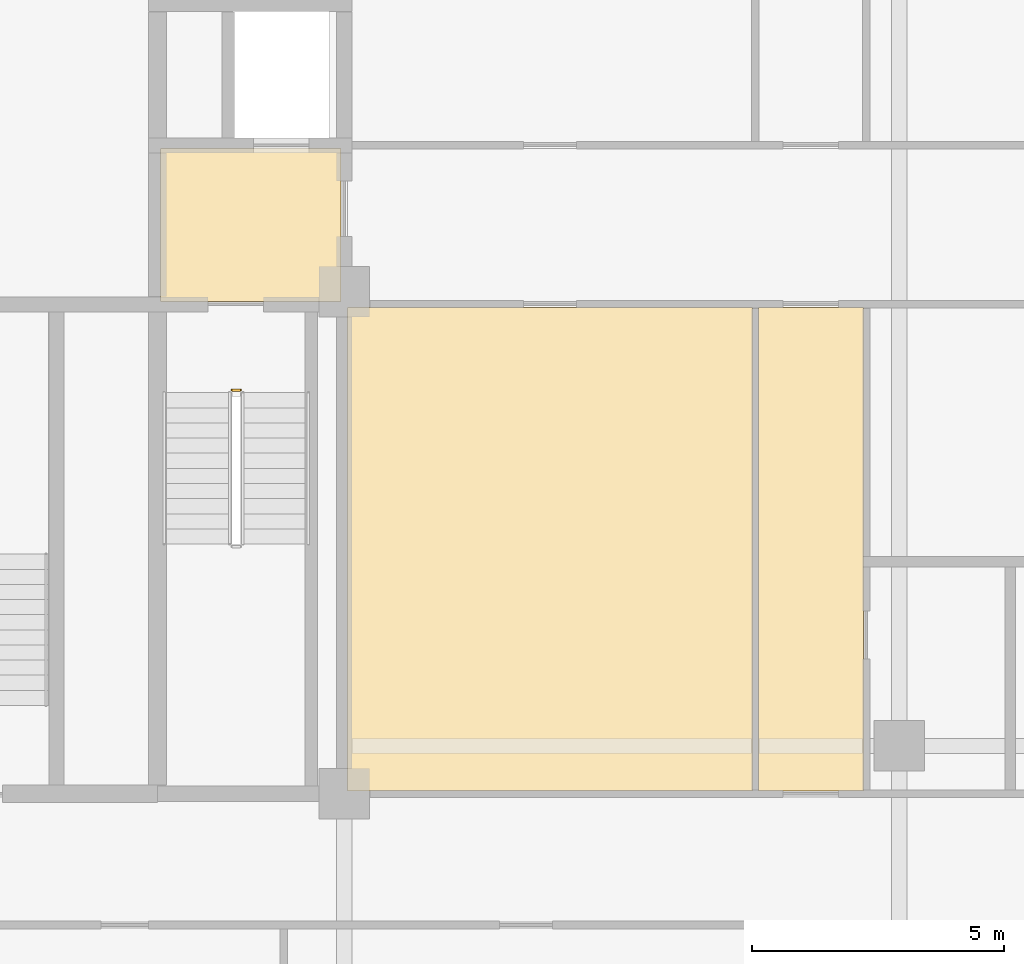
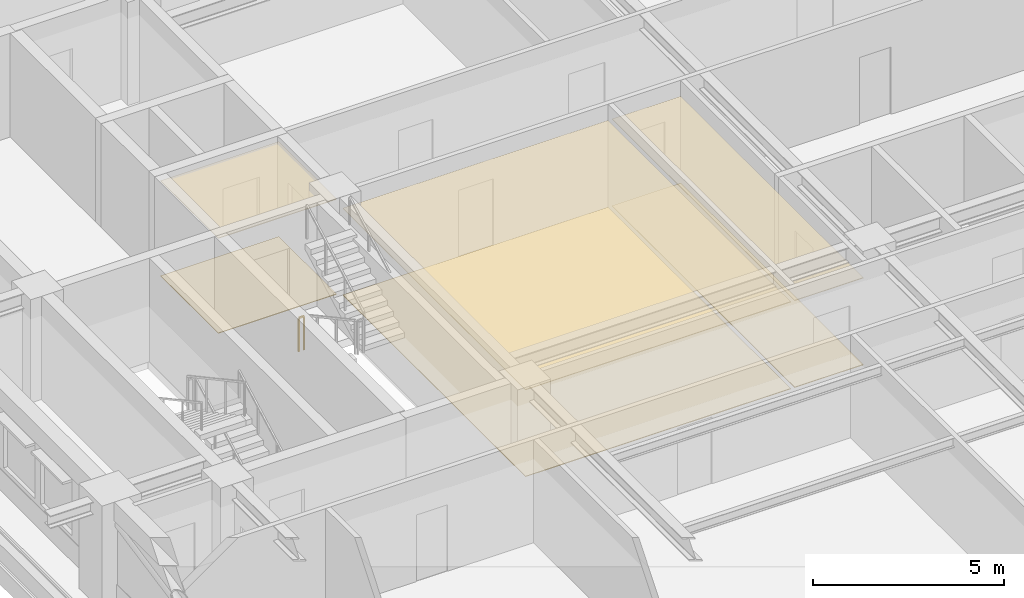
# One storey, part 10 of 13: 6 coverings, 1 railing.
"""IFC4 building model written with IfcOpenShell, lengths in metres."""

from ifc_helpers import new_model, si_unit, direction, frame, origin, origin_2d, place, context, subcontext, project, spatial, polyline, rectangle, outline, extrude, material, layer, layer_set, type_object, element, save


model = new_model("IFC4")

# Units and contexts
model_context = context("Model", 3, precision=1e-05, world=origin(), true_north=direction((0.0, 1.0)))
body_context = subcontext(model_context, "Body", "Model", "MODEL_VIEW")
ifc_project = project(units=[si_unit("LENGTHUNIT", "METRE"), si_unit("AREAUNIT", "SQUARE_METRE"), si_unit("VOLUMEUNIT", "CUBIC_METRE"), si_unit("PLANEANGLEUNIT", "RADIAN"), si_unit("MASSUNIT", "GRAM", prefix="KILO")], contexts=[model_context])

# Site, building, storey
site_placement = place(None, origin())
site = spatial("IfcSite", under=ifc_project, at=site_placement, CompositionType="ELEMENT")
building_placement = place(site_placement, origin())
building = spatial("IfcBuilding", under=site, at=building_placement, Name="Zulmaris Gate Convention Tower", CompositionType="ELEMENT")
storey_placement = place(building_placement, frame((0.0, 0.0, 91.35986328125)))
storey = spatial("IfcBuildingStorey", under=building, at=storey_placement, Name="L22", CompositionType="ELEMENT", Elevation=91.35986328125)

# Coverings
ifc_material_1 = material(Name="Mineral Fibre Acoustic Ceiling Tile")
ifc_layer_1 = layer(ifc_material_1, 0.02001953125, Name="Mineral Fibre Acoustic Ceiling Tile")
ifc_layer_set_1 = layer_set([ifc_layer_1], Name="Mineral Fibre Acoustic Ceiling Tile")
covering_type_1 = type_object("IfcCoveringType", Name="CLG-ACOUSTIC-600", PredefinedType="CEILING", material=ifc_layer_set_1)
covering_1_placement = place(storey_placement, frame((0.0, 0.0, 3.0400390625)))
element("IfcCovering", 1, at=covering_1_placement, inside=storey, type_object=covering_type_1, Name="CLG-L22-R03", PredefinedType="CEILING", context=body_context, shape_type="SweptSolid", body=[
    extrude(outline(polyline([(-14.639892578125, -0.18994140625), (-11.06005859375, -0.18994140625), (-11.06005859375, 2.840087890625), (-14.639892578125, 2.840087890625), (-14.639892578125, -0.18994140625)])), origin(), (0.0, 0.0, 1.0), 0.02001953125),
])
covering_2_placement = place(storey_placement, frame((0.0, 0.0, 2.778076171875)))
element("IfcCovering", 2, at=covering_2_placement, inside=storey, type_object=covering_type_1, Name="CLG-L22-R29", PredefinedType="CEILING", context=body_context, shape_type="SweptSolid", body=[
    extrude(outline(polyline([(-2.7900390625, -9.889892578125), (-0.7099609375, -9.889892578125), (-0.7099609375, -0.31005859375), (-2.7900390625, -0.31005859375), (-2.7900390625, -9.889892578125)])), origin(), (0.0, 0.0, 1.0), 0.02001953125),
])
covering_3_placement = place(storey_placement, frame((0.0, 0.0, 2.778076171875)))
element("IfcCovering", 3, at=covering_3_placement, inside=storey, type_object=covering_type_1, Name="CLG-L22-R39", PredefinedType="CEILING", context=body_context, shape_type="SweptSolid", body=[
    extrude(outline(polyline([(-10.93994140625, -9.889892578125), (-2.909912109375, -9.889892578125), (-2.909912109375, -0.31005859375), (-10.93994140625, -0.31005859375), (-10.93994140625, -9.889892578125)])), origin(), (0.0, 0.0, 1.0), 0.02001953125),
])
ifc_material_2 = material(Name="Woven Acoustic Wool Carpet Tile")
ifc_layer_2 = layer(ifc_material_2, 0.02001953125, Name="Woven Acoustic Wool Carpet Tile")
ifc_layer_set_2 = layer_set([ifc_layer_2], Name="Woven Acoustic Wool Carpet Tile")
covering_type_2 = type_object("IfcCoveringType", Name="FLR-CARPET-12", PredefinedType="FLOORING", material=ifc_layer_set_2)
covering_4_placement = place(storey_placement, origin())
element("IfcCovering", 4, at=covering_4_placement, inside=storey, type_object=covering_type_2, Name="FLR-L22-R03", PredefinedType="FLOORING", context=body_context, shape_type="SweptSolid", body=[
    extrude(outline(polyline([(-14.639892578125, -0.18994140625), (-11.06005859375, -0.18994140625), (-11.06005859375, 2.840087890625), (-14.639892578125, 2.840087890625), (-14.639892578125, -0.18994140625)])), origin(), (0.0, 0.0, 1.0), 0.02001953125),
])
covering_5_placement = place(storey_placement, origin())
element("IfcCovering", 5, at=covering_5_placement, inside=storey, type_object=covering_type_2, Name="FLR-L22-R29", PredefinedType="FLOORING", context=body_context, shape_type="SweptSolid", body=[
    extrude(outline(polyline([(-2.7900390625, -9.889892578125), (-0.7099609375, -9.889892578125), (-0.7099609375, -0.31005859375), (-2.7900390625, -0.31005859375), (-2.7900390625, -9.889892578125)])), origin(), (0.0, 0.0, 1.0), 0.02001953125),
])
covering_6_placement = place(storey_placement, origin())
element("IfcCovering", 6, at=covering_6_placement, inside=storey, type_object=covering_type_2, Name="FLR-L22-R39", PredefinedType="FLOORING", context=body_context, shape_type="SweptSolid", body=[
    extrude(outline(polyline([(-10.93994140625, -9.889892578125), (-2.909912109375, -9.889892578125), (-2.909912109375, -0.31005859375), (-10.93994140625, -0.31005859375), (-10.93994140625, -9.889892578125)])), origin(), (0.0, 0.0, 1.0), 0.02001953125),
])

# Railing
ifc_material_3 = material(Name="Painted Galvanised Steel", Category="steel")
railing_type = type_object("IfcRailingType", Name="RL-STG-1150", PredefinedType="GUARDRAIL", material=ifc_material_3)
railing_placement = place(storey_placement, frame((-13.219970703125, -1.949951171875, 0.0)))
element("IfcRailing", 7, at=railing_placement, inside=storey, type_object=railing_type, Name="L22 ST-1 stair guard 4", PredefinedType="GUARDRAIL", context=body_context, shape_type="SweptSolid", body=[
    extrude(rectangle(XDim=0.048095703125, YDim=0.048095703125, at=origin_2d()), frame((0.0, 0.0, 1.076171875), z_axis=(1.0, 0.0, 0.0), x_axis=(0.0, 1.0, 0.0)), (0.0, 0.0, 1.0), 0.159912109375),
    extrude(rectangle(XDim=0.0419921875, YDim=0.0419921875, at=origin_2d()), origin(), (0.0, 0.0, 1.0), 1.052001953125),
    extrude(rectangle(XDim=0.0419921875, YDim=0.0419921875, at=origin_2d()), frame((0.159912109375, 0.0, 0.0)), (0.0, 0.0, 1.0), 1.052001953125),
])

save(model, "model.ifc")
